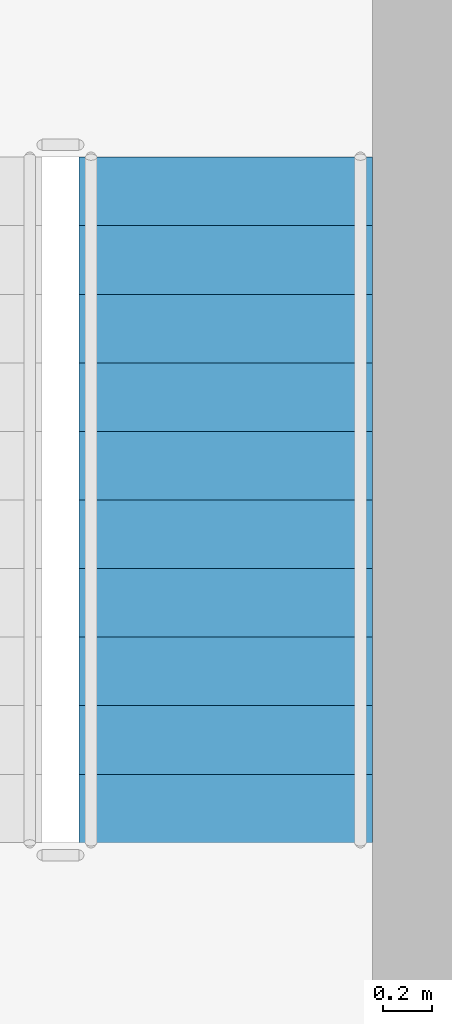
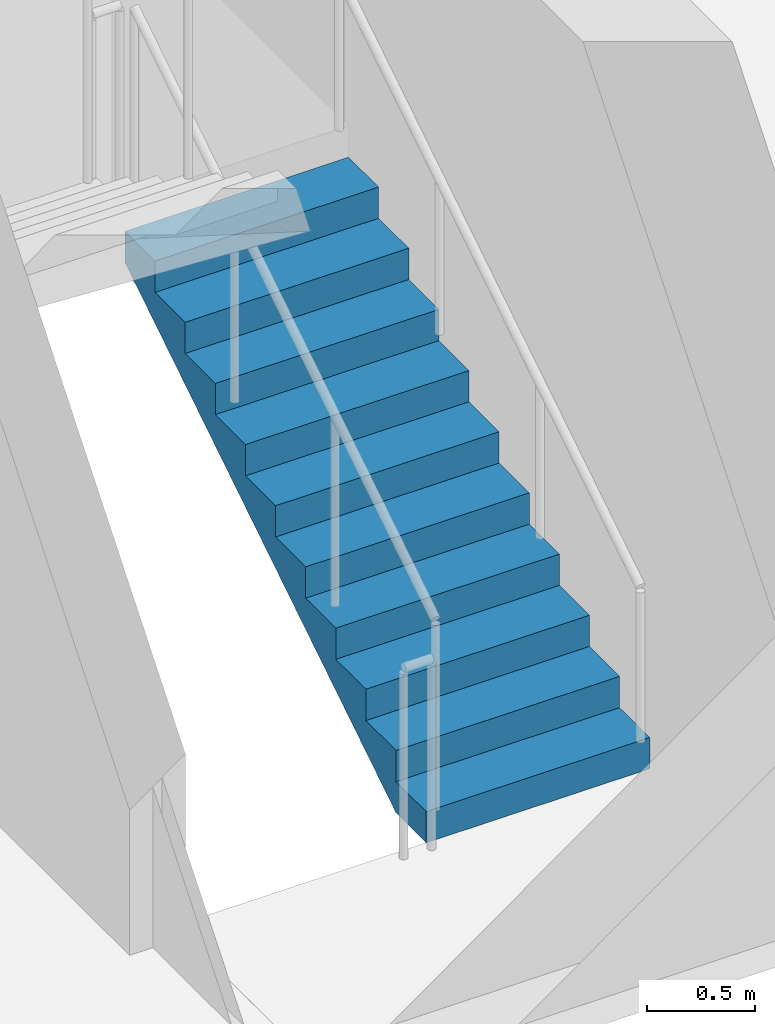
# One storey, part 6 of 7: 1 stair flight, 1 element without a shape of its own.
"""IFC4 building model written with IfcOpenShell, lengths in metres."""

from ifc_helpers import new_model, si_unit, direction, frame, origin, place, context, subcontext, project, spatial, polyline, outline, extrude, material, type_object, element, aggregate, save


model = new_model("IFC4")

# Units and contexts
model_context = context("Model", 3, precision=1e-05, world=origin(), true_north=direction((0.0, 1.0)))
body_context = subcontext(model_context, "Body", "Model", "MODEL_VIEW")
ifc_project = project(units=[si_unit("LENGTHUNIT", "METRE"), si_unit("AREAUNIT", "SQUARE_METRE"), si_unit("VOLUMEUNIT", "CUBIC_METRE"), si_unit("PLANEANGLEUNIT", "RADIAN"), si_unit("MASSUNIT", "GRAM", prefix="KILO")], contexts=[model_context])

# Site, building, storey
site_placement = place(None, origin())
site = spatial("IfcSite", under=ifc_project, at=site_placement, CompositionType="ELEMENT")
building_placement = place(site_placement, origin())
building = spatial("IfcBuilding", under=site, at=building_placement, Name="Aloe Facet Convention Tower", CompositionType="ELEMENT")
storey_placement = place(building_placement, frame((0.0, 0.0, 215.300048828125)))
storey = spatial("IfcBuildingStorey", under=building, at=storey_placement, Name="L54", CompositionType="ELEMENT", Elevation=215.300048828125)

# Stair, stair flight
ifc_material_1 = material(Name="Concrete C50/60", Category="concrete")
stair_type = type_object("IfcStairType", Name="CR-ST-22R", PredefinedType="HALF_TURN_STAIR", material=ifc_material_1)
stair_placement = place(storey_placement, origin())
stair = element("IfcStair", 1, at=stair_placement, inside=storey, type_object=stair_type, Name="L54 Protected exit stair ST2", PredefinedType="HALF_TURN_STAIR")
ifc_material_2 = material(Name="Concrete C50/60", Category="concrete")
stair_flight_type = type_object("IfcStairFlightType", Name="CR-SFL-22R", PredefinedType="STRAIGHT", material=ifc_material_2)
stair_flight_placement = place(storey_placement, frame((89.800048828125, 128.949951171875, 0.0), z_axis=(0.0, 0.0, 1.0), x_axis=(0.0, 1.0, 0.0)))
stair_flight = element("IfcStairFlight", 2, at=stair_flight_placement, type_object=stair_flight_type, Name="ST2 flight 1", NumberOfRisers=11, NumberOfTreads=10, PredefinedType="STRAIGHT", RiserHeight=0.177272727, TreadLength=0.28, context=body_context, shape_type="SweptSolid", body=[
    extrude(outline(polyline([(0.0, 0.0), (0.0, 0.17724609375), (0.280029296875, 0.17724609375), (0.280029296875, 0.3544921875), (0.56005859375, 0.3544921875), (0.56005859375, 0.53173828125), (0.840087890625, 0.53173828125), (0.840087890625, 0.708984375), (1.1201171875, 0.708984375), (1.1201171875, 0.886474609375), (1.39990234375, 0.886474609375), (1.39990234375, 1.063720703125), (1.679931640625, 1.063720703125), (1.679931640625, 1.240966796875), (1.9599609375, 1.240966796875), (1.9599609375, 1.418212890625), (2.239990234375, 1.418212890625), (2.239990234375, 1.595458984375), (2.52001953125, 1.595458984375), (2.52001953125, 1.772705078125), (2.800048828125, 1.772705078125), (2.800048828125, 1.949951171875), (2.800048828125, 1.59521484375), (0.2802734375, 0.0), (0.0, 0.0)])), frame((0.0, 0.60009765625, 0.0), z_axis=(0.0, -1.0, 0.0), x_axis=(1.0, 0.0, 0.0)), (0.0, 0.0, 1.0), 1.199951171875),
])
aggregate(stair, [stair_flight])

save(model, "model.ifc")
